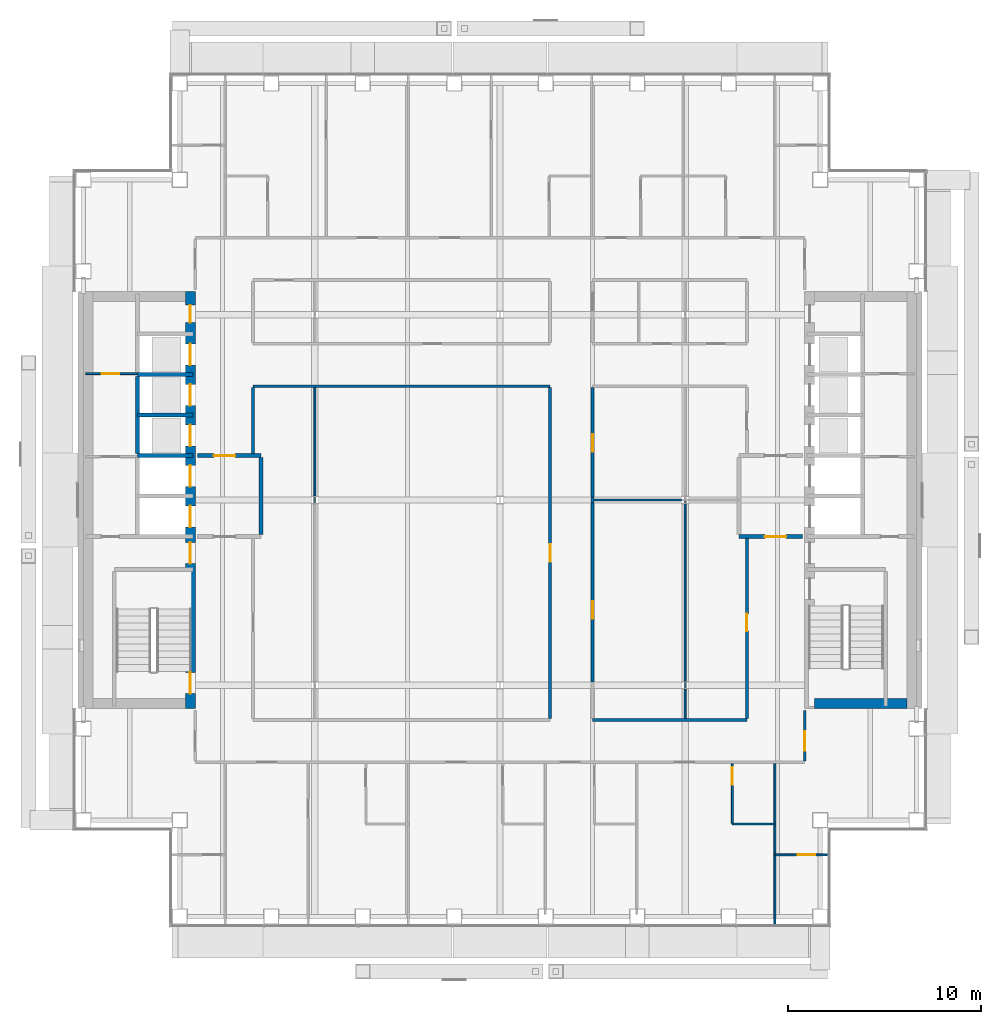
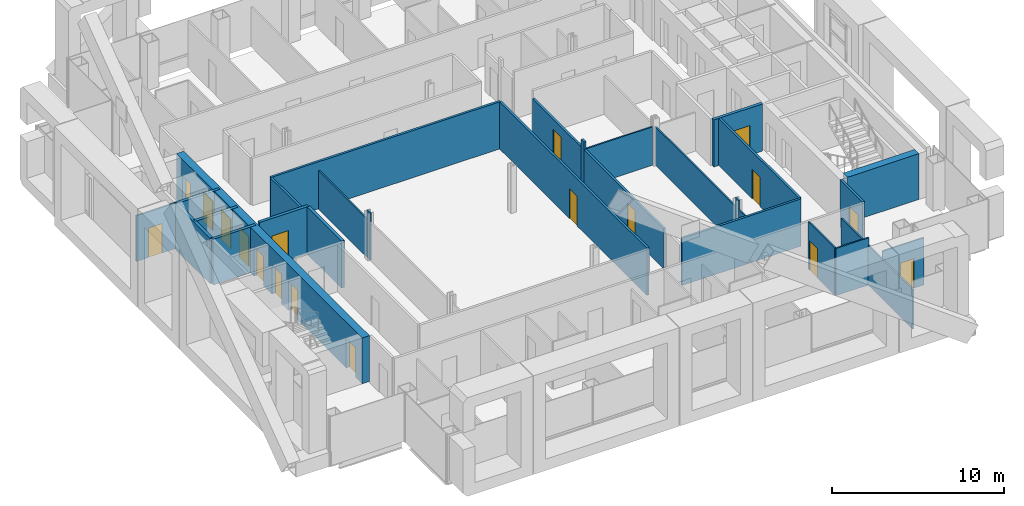
# One storey, part 13 of 22: 29 walls, 18 doors, 18 openings.
"""IFC4 building model written with IfcOpenShell, lengths in metres."""

from ifc_helpers import new_model, si_unit, direction, frame, frame_2d, origin, place, context, subcontext, project, spatial, rectangle, extrude, material, layer, layer_set, type_object, element, fill, save


model = new_model("IFC4")

# Units and contexts
model_context = context("Model", 3, precision=1e-05, world=origin(), true_north=direction((0.0, 1.0)))
body_context = subcontext(model_context, "Body", "Model", "MODEL_VIEW")
ifc_project = project(units=[si_unit("LENGTHUNIT", "METRE"), si_unit("AREAUNIT", "SQUARE_METRE"), si_unit("VOLUMEUNIT", "CUBIC_METRE"), si_unit("PLANEANGLEUNIT", "RADIAN"), si_unit("MASSUNIT", "GRAM", prefix="KILO")], contexts=[model_context])

# Site, building, storey
site_placement = place(None, origin())
site = spatial("IfcSite", under=ifc_project, at=site_placement, CompositionType="ELEMENT")
building_placement = place(site_placement, origin())
building = spatial("IfcBuilding", under=site, at=building_placement, Name="Cobrizo Arcos Hotel Tower", CompositionType="ELEMENT")
storey_placement = place(building_placement, frame((0.0, 0.0, 162.0)))
storey = spatial("IfcBuildingStorey", under=building, at=storey_placement, Name="L41", CompositionType="ELEMENT", Elevation=162.0)

# Walls
ifc_material_1 = material(Name="Gypsum board partition")
ifc_layer_1 = layer(ifc_material_1, 0.14990234375)
ifc_layer_set_1 = layer_set([ifc_layer_1], Name="Corridor wall EI 60 150")
wall_type_1 = type_object("IfcWallType", Name="Corridor wall EI 60 150", PredefinedType="PARTITIONING", material=ifc_layer_set_1)
wall_1_placement = place(storey_placement, frame((4.800048828125, -11.39990234375, 0.0), z_axis=(0.0, 0.0, 1.0), x_axis=(1.0, 0.0, 0.0)))
element("IfcWall", 1, at=wall_1_placement, inside=storey, type_object=wall_type_1, Name="Partition 009", PredefinedType="PARTITIONING", context=body_context, shape_type="SweptSolid", body=[
    extrude(rectangle(XDim=8.0, YDim=0.14990234375, at=frame_2d((4.0, 0.0))), origin(), (0.0, 0.0, 1.0), 3.35009765625),
])
wall_2_placement = place(storey_placement, frame((-12.800048828125, 5.89990234375, 0.0), z_axis=(0.0, 0.0, 1.0), x_axis=(1.0, 0.0, 0.0)))
element("IfcWall", 2, at=wall_2_placement, inside=storey, type_object=wall_type_1, Name="Partition 029", PredefinedType="PARTITIONING", context=body_context, shape_type="SweptSolid", body=[
    extrude(rectangle(XDim=15.400146484375, YDim=0.14990234375, at=frame_2d((7.7001953125, 0.0))), origin(), (0.0, 0.0, 1.0), 3.35009765625),
])
wall_3_placement = place(storey_placement, frame((-12.800048828125, 2.39990234375, 0.0), z_axis=(0.0, 0.0, 1.0), x_axis=(0.0, 1.0, 0.0)))
element("IfcWall", 3, at=wall_3_placement, inside=storey, type_object=wall_type_1, Name="Partition 057", PredefinedType="PARTITIONING", context=body_context, shape_type="SweptSolid", body=[
    extrude(rectangle(XDim=3.425048828125, YDim=0.14990234375, at=frame_2d((1.71240234375, 0.0))), origin(), (0.0, 0.0, 1.0), 3.35009765625),
])

# Wall, opening, door
wall_4_placement = place(storey_placement, frame((2.60009765625, -11.324951171875, 0.0), z_axis=(0.0, 0.0, 1.0), x_axis=(0.0, 1.0, 0.0)))
wall_4 = element("IfcWall", 4, at=wall_4_placement, inside=storey, type_object=wall_type_1, Name="Partition 079", PredefinedType="PARTITIONING", context=body_context, shape_type="SweptSolid", body=[
    extrude(rectangle(XDim=17.14990234375, YDim=0.14990234375, at=frame_2d((8.574951171875, 0.0))), origin(), (0.0, 0.0, 1.0), 3.35009765625),
])
opening_1_placement = place(wall_4_placement, frame((8.125, 0.0, 0.0)))
opening_1 = element("IfcOpeningElement", 5, at=opening_1_placement, cuts=wall_4, Name="Opening RD-19", PredefinedType="OPENING", context=body_context, shape_type="SweptSolid", body=[
    extrude(rectangle(XDim=0.89990234375, YDim=2.10009765625, at=frame_2d((0.449951171875, 1.050048828125))), frame((0.0, 0.0869140625, 0.0), z_axis=(0.0, -1.0, 0.0), x_axis=(1.0, 0.0, 0.0)), (0.0, 0.0, 1.0), 0.173828125),
])
ifc_material_2 = material(Name="Timber door leaf", Category="wood")
door_type_1 = type_object("IfcDoorType", Name="Room door FD30 900x2100", OperationType="SINGLE_SWING_LEFT", PredefinedType="DOOR", material=ifc_material_2)
door_1_placement = place(opening_1_placement, origin())
door_1 = element("IfcDoor", 6, at=door_1_placement, inside=storey, type_object=door_type_1, Name="Door RD-19", OperationType="SINGLE_SWING_LEFT", OverallHeight=2.10009765625, OverallWidth=0.89990234375, PredefinedType="DOOR", context=body_context, shape_type="SweptSolid", body=[
    extrude(rectangle(XDim=0.89990234375, YDim=2.10009765625, at=frame_2d((0.449951171875, 1.050048828125))), frame((0.0, 0.02490234375, 0.0), z_axis=(0.0, -1.0, 0.0), x_axis=(1.0, 0.0, 0.0)), (0.0, 0.0, 1.0), 0.050048828125),
])
fill(opening_1, door_1)

wall_5_placement = place(storey_placement, frame((4.800048828125, -9.43603515625, 0.0), z_axis=(0.0, 0.0, 1.0), x_axis=(0.0, 1.0, 0.0)))
wall_5 = element("IfcWall", 7, at=wall_5_placement, inside=storey, type_object=wall_type_1, Name="Partition 084", PredefinedType="PARTITIONING", context=body_context, shape_type="SweptSolid", body=[
    extrude(rectangle(XDim=9.27197265625, YDim=0.14990234375, at=frame_2d((4.635986328125, 0.0))), origin(), (0.0, 0.0, 1.0), 2.81689453125),
])
opening_2_placement = place(wall_5_placement, frame((3.285888671875, 0.0, 0.0)))
opening_2 = element("IfcOpeningElement", 8, at=opening_2_placement, cuts=wall_5, Name="Opening RD-18", PredefinedType="OPENING", context=body_context, shape_type="SweptSolid", body=[
    extrude(rectangle(XDim=0.89990234375, YDim=2.10009765625, at=frame_2d((0.449951171875, 1.050048828125))), frame((0.0, 0.0869140625, 0.0), z_axis=(0.0, -1.0, 0.0), x_axis=(1.0, 0.0, 0.0)), (0.0, 0.0, 1.0), 0.173828125),
])
door_2_placement = place(opening_2_placement, origin())
door_2 = element("IfcDoor", 9, at=door_2_placement, inside=storey, type_object=door_type_1, Name="Door RD-18", OperationType="SINGLE_SWING_LEFT", OverallHeight=2.10009765625, OverallWidth=0.89990234375, PredefinedType="DOOR", context=body_context, shape_type="SweptSolid", body=[
    extrude(rectangle(XDim=0.89990234375, YDim=2.10009765625, at=frame_2d((0.449951171875, 1.050048828125))), frame((0.0, 0.02490234375, 0.0), z_axis=(0.0, -1.0, 0.0), x_axis=(1.0, 0.0, 0.0)), (0.0, 0.0, 1.0), 0.050048828125),
])
fill(opening_2, door_2)

# Wall
wall_6_placement = place(storey_placement, frame((4.800048828125, -0.1640625, 0.0), z_axis=(0.0, 0.0, 1.0), x_axis=(0.0, 1.0, 0.0)))
element("IfcWall", 10, at=wall_6_placement, inside=storey, type_object=wall_type_1, Name="Partition 085", PredefinedType="PARTITIONING", context=body_context, shape_type="SweptSolid", body=[
    extrude(rectangle(XDim=0.328125, YDim=0.14990234375, at=frame_2d((0.1640625, 0.0))), origin(), (0.0, 0.0, 1.0), 3.35009765625),
])

# Wall, opening, door
wall_7_placement = place(storey_placement, frame((4.800048828125, 0.1640625, 0.0), z_axis=(0.0, 0.0, 1.0), x_axis=(0.0, 1.0, 0.0)))
wall_7 = element("IfcWall", 11, at=wall_7_placement, inside=storey, type_object=wall_type_1, Name="Partition 086", PredefinedType="PARTITIONING", context=body_context, shape_type="SweptSolid", body=[
    extrude(rectangle(XDim=5.660888671875, YDim=0.14990234375, at=frame_2d((2.83056640625, 0.0))), origin(), (0.0, 0.0, 1.0), 2.81689453125),
])
opening_3_placement = place(wall_7_placement, frame((2.3359375, 0.0, 0.0)))
opening_3 = element("IfcOpeningElement", 12, at=opening_3_placement, cuts=wall_7, Name="Opening RD-14", PredefinedType="OPENING", context=body_context, shape_type="SweptSolid", body=[
    extrude(rectangle(XDim=0.89990234375, YDim=2.10009765625, at=frame_2d((0.449951171875, 1.050048828125))), frame((0.0, 0.0869140625, 0.0), z_axis=(0.0, -1.0, 0.0), x_axis=(1.0, 0.0, 0.0)), (0.0, 0.0, 1.0), 0.173828125),
])
door_3_placement = place(opening_3_placement, origin())
door_3 = element("IfcDoor", 13, at=door_3_placement, inside=storey, type_object=door_type_1, Name="Door RD-14", OperationType="SINGLE_SWING_RIGHT", OverallHeight=2.10009765625, OverallWidth=0.89990234375, PredefinedType="DOOR", context=body_context, shape_type="SweptSolid", body=[
    extrude(rectangle(XDim=0.89990234375, YDim=2.10009765625, at=frame_2d((0.449951171875, 1.050048828125))), frame((0.0, 0.02490234375, 0.0), z_axis=(0.0, -1.0, 0.0), x_axis=(1.0, 0.0, 0.0)), (0.0, 0.0, 1.0), 0.050048828125),
])
fill(opening_3, door_3)

wall_8_placement = place(storey_placement, frame((12.800048828125, -11.324951171875, 0.0), z_axis=(0.0, 0.0, 1.0), x_axis=(0.0, 1.0, 0.0)))
wall_8 = element("IfcWall", 14, at=wall_8_placement, inside=storey, type_object=wall_type_1, Name="Partition 106", PredefinedType="PARTITIONING", context=body_context, shape_type="SweptSolid", body=[
    extrude(rectangle(XDim=9.324951171875, YDim=0.14990234375, at=frame_2d((4.66259765625, 0.0))), origin(), (0.0, 0.0, 1.0), 3.35009765625),
])
opening_4_placement = place(wall_8_placement, frame((4.52490234375, 0.0, 0.0)))
opening_4 = element("IfcOpeningElement", 15, at=opening_4_placement, cuts=wall_8, Name="Opening RD-15", PredefinedType="OPENING", context=body_context, shape_type="SweptSolid", body=[
    extrude(rectangle(XDim=0.89990234375, YDim=2.10009765625, at=frame_2d((0.449951171875, 1.050048828125))), frame((0.0, 0.0869140625, 0.0), z_axis=(0.0, -1.0, 0.0), x_axis=(1.0, 0.0, 0.0)), (0.0, 0.0, 1.0), 0.173828125),
])
door_4_placement = place(opening_4_placement, origin())
door_4 = element("IfcDoor", 16, at=door_4_placement, inside=storey, type_object=door_type_1, Name="Door RD-15", OperationType="SINGLE_SWING_LEFT", OverallHeight=2.10009765625, OverallWidth=0.89990234375, PredefinedType="DOOR", context=body_context, shape_type="SweptSolid", body=[
    extrude(rectangle(XDim=0.89990234375, YDim=2.10009765625, at=frame_2d((0.449951171875, 1.050048828125))), frame((0.0, 0.02490234375, 0.0), z_axis=(0.0, -1.0, 0.0), x_axis=(1.0, 0.0, 0.0)), (0.0, 0.0, 1.0), 0.050048828125),
])
fill(opening_4, door_4)

wall_9_placement = place(storey_placement, frame((15.800048828125, -13.52490234375, 0.0), z_axis=(0.0, 0.0, 1.0), x_axis=(0.0, 1.0, 0.0)))
wall_9 = element("IfcWall", 17, at=wall_9_placement, inside=storey, type_object=wall_type_1, Name="Partition 112", PredefinedType="PARTITIONING", context=body_context, shape_type="SweptSolid", body=[
    extrude(rectangle(XDim=2.60498046875, YDim=0.14990234375, at=frame_2d((1.302490234375, 0.0))), origin(), (0.0, 0.0, 1.0), 3.35009765625),
])
opening_5_placement = place(wall_9_placement, frame((0.52490234375, 0.0, 0.0)))
opening_5 = element("IfcOpeningElement", 18, at=opening_5_placement, cuts=wall_9, Name="Opening GD-11", PredefinedType="OPENING", context=body_context, shape_type="SweptSolid", body=[
    extrude(rectangle(XDim=1.0, YDim=2.10009765625, at=frame_2d((0.5, 1.050048828125))), frame((0.0, 0.0869140625, 0.0), z_axis=(0.0, -1.0, 0.0), x_axis=(1.0, 0.0, 0.0)), (0.0, 0.0, 1.0), 0.173828125),
])
door_type_2 = type_object("IfcDoorType", Name="Guest room door FD30S 1000x2100", OperationType="SINGLE_SWING_LEFT", PredefinedType="DOOR", material=ifc_material_2)
door_5_placement = place(opening_5_placement, origin())
door_5 = element("IfcDoor", 19, at=door_5_placement, inside=storey, type_object=door_type_2, Name="Door GD-11", OperationType="SINGLE_SWING_LEFT", OverallHeight=2.10009765625, OverallWidth=1.0, PredefinedType="DOOR", context=body_context, shape_type="SweptSolid", body=[
    extrude(rectangle(XDim=1.0, YDim=2.10009765625, at=frame_2d((0.5, 1.050048828125))), frame((0.0, 0.02490234375, 0.0), z_axis=(0.0, -1.0, 0.0), x_axis=(1.0, 0.0, 0.0)), (0.0, 0.0, 1.0), 0.050048828125),
])
fill(opening_5, door_5)

ifc_layer_2 = layer(ifc_material_1, 0.10009765625)
ifc_layer_set_2 = layer_set([ifc_layer_2], Name="Partition EI 30 100")
wall_type_2 = type_object("IfcWallType", Name="Partition EI 30 100", PredefinedType="PARTITIONING", material=ifc_layer_set_2)
wall_10_placement = place(storey_placement, frame((14.25, -18.39990234375, 0.0), z_axis=(0.0, 0.0, 1.0), x_axis=(1.0, 0.0, 0.0)))
wall_10 = element("IfcWall", 20, at=wall_10_placement, inside=storey, type_object=wall_type_2, Name="Partition 002", PredefinedType="PARTITIONING", context=body_context, shape_type="SweptSolid", body=[
    extrude(rectangle(XDim=2.780029296875, YDim=0.10009765625, at=frame_2d((1.39013671875, 0.0))), origin(), (0.0, 0.0, 1.0), 3.35009765625),
])
opening_6_placement = place(wall_10_placement, frame((1.18896484375, 0.0, 0.0)))
opening_6 = element("IfcOpeningElement", 21, at=opening_6_placement, cuts=wall_10, Name="Opening ED-12", PredefinedType="OPENING", context=body_context, shape_type="SweptSolid", body=[
    extrude(rectangle(XDim=0.89990234375, YDim=2.10009765625, at=frame_2d((0.449951171875, 1.050048828125))), frame((0.0, 0.06201171875, 0.0), z_axis=(0.0, -1.0, 0.0), x_axis=(1.0, 0.0, 0.0)), (0.0, 0.0, 1.0), 0.1240234375),
])
door_type_3 = type_object("IfcDoorType", Name="En-suite door 900x2100", OperationType="SINGLE_SWING_LEFT", PredefinedType="DOOR", material=ifc_material_2)
door_6_placement = place(opening_6_placement, origin())
door_6 = element("IfcDoor", 22, at=door_6_placement, inside=storey, type_object=door_type_3, Name="Door ED-12", OperationType="SINGLE_SWING_LEFT", OverallHeight=2.10009765625, OverallWidth=0.89990234375, PredefinedType="DOOR", context=body_context, shape_type="SweptSolid", body=[
    extrude(rectangle(XDim=0.89990234375, YDim=2.10009765625, at=frame_2d((0.449951171875, 1.050048828125))), frame((0.0, 0.02490234375, 0.0), z_axis=(0.0, -1.0, 0.0), x_axis=(1.0, 0.0, 0.0)), (0.0, 0.0, 1.0), 0.050048828125),
])
fill(opening_6, door_6)

# Walls
wall_11_placement = place(storey_placement, frame((12.050048828125, -16.800048828125, 0.0), z_axis=(0.0, 0.0, 1.0), x_axis=(1.0, 0.0, 0.0)))
element("IfcWall", 23, at=wall_11_placement, inside=storey, type_object=wall_type_2, Name="Partition 006", PredefinedType="PARTITIONING", context=body_context, shape_type="SweptSolid", body=[
    extrude(rectangle(XDim=2.199951171875, YDim=0.10009765625, at=frame_2d((1.10009765625, 0.0))), origin(), (0.0, 0.0, 1.0), 3.35009765625),
])
wall_12_placement = place(storey_placement, frame((4.800048828125, 0.0, 0.0), z_axis=(0.0, 0.0, 1.0), x_axis=(1.0, 0.0, 0.0)))
element("IfcWall", 24, at=wall_12_placement, inside=storey, type_object=wall_type_2, Name="Partition 016", PredefinedType="PARTITIONING", context=body_context, shape_type="SweptSolid", body=[
    extrude(rectangle(XDim=4.613037109375, YDim=0.10009765625, at=frame_2d((2.306640625, 0.0))), origin(), (0.0, 0.0, 1.0), 2.72802734375),
])

# Wall, opening, door
wall_13_placement = place(storey_placement, frame((-21.47998046875, 6.550048828125, 0.0), z_axis=(0.0, 0.0, 1.0), x_axis=(1.0, 0.0, 0.0)))
wall_13 = element("IfcWall", 25, at=wall_13_placement, inside=storey, type_object=wall_type_2, Name="Partition 033", PredefinedType="PARTITIONING", context=body_context, shape_type="SweptSolid", body=[
    extrude(rectangle(XDim=2.679931640625, YDim=0.10009765625, at=frame_2d((1.33984375, 0.0))), origin(), (0.0, 0.0, 1.0), 3.25),
])
opening_7_placement = place(wall_13_placement, frame((0.830078125, 0.0, 0.0)))
opening_7 = element("IfcOpeningElement", 26, at=opening_7_placement, cuts=wall_13, Name="Opening RD-03", PredefinedType="OPENING", context=body_context, shape_type="SweptSolid", body=[
    extrude(rectangle(XDim=0.89990234375, YDim=2.10009765625, at=frame_2d((0.449951171875, 1.050048828125))), frame((0.0, 0.06201171875, 0.0), z_axis=(0.0, -1.0, 0.0), x_axis=(1.0, 0.0, 0.0)), (0.0, 0.0, 1.0), 0.1240234375),
])
door_7_placement = place(opening_7_placement, origin())
door_7 = element("IfcDoor", 27, at=door_7_placement, inside=storey, type_object=door_type_1, Name="Door RD-03", OperationType="SINGLE_SWING_LEFT", OverallHeight=2.10009765625, OverallWidth=0.89990234375, PredefinedType="DOOR", context=body_context, shape_type="SweptSolid", body=[
    extrude(rectangle(XDim=0.89990234375, YDim=2.10009765625, at=frame_2d((0.449951171875, 1.050048828125))), frame((0.0, 0.02490234375, 0.0), z_axis=(0.0, -1.0, 0.0), x_axis=(1.0, 0.0, 0.0)), (0.0, 0.0, 1.0), 0.050048828125),
])
fill(opening_7, door_7)

# Walls
wall_14_placement = place(storey_placement, frame((-9.60009765625, -0.18701171875, 0.0), z_axis=(0.0, 0.0, 1.0), x_axis=(0.0, 1.0, 0.0)))
element("IfcWall", 28, at=wall_14_placement, inside=storey, type_object=wall_type_2, Name="Partition 066", PredefinedType="PARTITIONING", context=body_context, shape_type="SweptSolid", body=[
    extrude(rectangle(XDim=0.3740234375, YDim=0.10009765625, at=frame_2d((0.18701171875, 0.0))), origin(), (0.0, 0.0, 1.0), 3.35009765625),
])
wall_15_placement = place(storey_placement, frame((-9.60009765625, 0.18701171875, 0.0), z_axis=(0.0, 0.0, 1.0), x_axis=(0.0, 1.0, 0.0)))
element("IfcWall", 29, at=wall_15_placement, inside=storey, type_object=wall_type_2, Name="Partition 067", PredefinedType="PARTITIONING", context=body_context, shape_type="SweptSolid", body=[
    extrude(rectangle(XDim=5.637939453125, YDim=0.10009765625, at=frame_2d((2.81884765625, 0.0))), origin(), (0.0, 0.0, 1.0), 2.72802734375),
])
wall_16_placement = place(storey_placement, frame((9.60009765625, -11.324951171875, 0.0), z_axis=(0.0, 0.0, 1.0), x_axis=(0.0, 1.0, 0.0)))
element("IfcWall", 30, at=wall_16_placement, inside=storey, type_object=wall_type_2, Name="Partition 096", PredefinedType="PARTITIONING", context=body_context, shape_type="SweptSolid", body=[
    extrude(rectangle(XDim=1.537841796875, YDim=0.10009765625, at=frame_2d((0.76904296875, 0.0))), origin(), (0.0, 0.0, 1.0), 2.72802734375),
])
wall_17_placement = place(storey_placement, frame((9.60009765625, -9.787109375, 0.0), z_axis=(0.0, 0.0, 1.0), x_axis=(0.0, 1.0, 0.0)))
element("IfcWall", 31, at=wall_17_placement, inside=storey, type_object=wall_type_2, Name="Partition 097", PredefinedType="PARTITIONING", context=body_context, shape_type="SweptSolid", body=[
    extrude(rectangle(XDim=0.3740234375, YDim=0.10009765625, at=frame_2d((0.18701171875, 0.0))), origin(), (0.0, 0.0, 1.0), 3.35009765625),
])
wall_18_placement = place(storey_placement, frame((9.60009765625, -9.4130859375, 0.0), z_axis=(0.0, 0.0, 1.0), x_axis=(0.0, 1.0, 0.0)))
element("IfcWall", 32, at=wall_18_placement, inside=storey, type_object=wall_type_2, Name="Partition 098", PredefinedType="PARTITIONING", context=body_context, shape_type="SweptSolid", body=[
    extrude(rectangle(XDim=9.363037109375, YDim=0.10009765625, at=frame_2d((4.681640625, 0.0))), origin(), (0.0, 0.0, 1.0), 2.72802734375),
])

# Wall, opening, door
wall_19_placement = place(storey_placement, frame((12.050048828125, -16.75, 0.0), z_axis=(0.0, 0.0, 1.0), x_axis=(0.0, 1.0, 0.0)))
wall_19 = element("IfcWall", 33, at=wall_19_placement, inside=storey, type_object=wall_type_2, Name="Partition 104", PredefinedType="PARTITIONING", context=body_context, shape_type="SweptSolid", body=[
    extrude(rectangle(XDim=3.074951171875, YDim=0.10009765625, at=frame_2d((1.53759765625, 0.0))), origin(), (0.0, 0.0, 1.0), 3.35009765625),
])
opening_8_placement = place(wall_19_placement, frame((1.99609375, 0.0, 0.0)))
opening_8 = element("IfcOpeningElement", 34, at=opening_8_placement, cuts=wall_19, Name="Opening ED-09", PredefinedType="OPENING", context=body_context, shape_type="SweptSolid", body=[
    extrude(rectangle(XDim=0.89990234375, YDim=2.10009765625, at=frame_2d((0.449951171875, 1.050048828125))), frame((0.0, 0.06201171875, 0.0), z_axis=(0.0, -1.0, 0.0), x_axis=(1.0, 0.0, 0.0)), (0.0, 0.0, 1.0), 0.1240234375),
])
door_8_placement = place(opening_8_placement, origin())
door_8 = element("IfcDoor", 35, at=door_8_placement, inside=storey, type_object=door_type_3, Name="Door ED-09", OperationType="SINGLE_SWING_LEFT", OverallHeight=2.10009765625, OverallWidth=0.89990234375, PredefinedType="DOOR", context=body_context, shape_type="SweptSolid", body=[
    extrude(rectangle(XDim=0.89990234375, YDim=2.10009765625, at=frame_2d((0.449951171875, 1.050048828125))), frame((0.0, 0.02490234375, 0.0), z_axis=(0.0, -1.0, 0.0), x_axis=(1.0, 0.0, 0.0)), (0.0, 0.0, 1.0), 0.050048828125),
])
fill(opening_8, door_8)

# Walls
wall_20_placement = place(storey_placement, frame((14.25, -22.030029296875, 0.0), z_axis=(0.0, 0.0, 1.0), x_axis=(0.0, 1.0, 0.0)))
element("IfcWall", 36, at=wall_20_placement, inside=storey, type_object=wall_type_2, Name="Partition 110", PredefinedType="PARTITIONING", context=body_context, shape_type="SweptSolid", body=[
    extrude(rectangle(XDim=8.35498046875, YDim=0.10009765625, at=frame_2d((4.177490234375, 0.0))), origin(), (0.0, 0.0, 1.0), 2.81689453125),
])
ifc_material_3 = material(Name="Concrete f'c 50 MPa", Category="concrete")
ifc_layer_3 = layer(ifc_material_3, 0.5)
ifc_layer_set_3 = layer_set([ifc_layer_3], Name="RC core wall 500 f'c 50")
wall_type_3 = type_object("IfcWallType", Name="RC core wall 500 f'c 50", PredefinedType="SHEAR", material=ifc_layer_set_3)
wall_21_placement = place(storey_placement, frame((16.300048828125, -10.550048828125, 0.0), z_axis=(0.0, 0.0, 1.0), x_axis=(1.0, 0.0, 0.0)))
element("IfcWall", 37, at=wall_21_placement, inside=storey, type_object=wall_type_3, Name="Core wall CW3, east core, south end, L41", PredefinedType="SHEAR", context=body_context, shape_type="SweptSolid", body=[
    extrude(rectangle(XDim=4.800048828125, YDim=0.5, at=frame_2d((2.39990234375, 0.0))), origin(), (0.0, 0.0, 1.0), 3.25),
])

# Wall, openings, doors
wall_22_placement = place(storey_placement, frame((-16.050048828125, -10.800048828125, 0.0), z_axis=(0.0, 0.0, 1.0), x_axis=(0.0, 1.0, 0.0)))
wall_22 = element("IfcWall", 38, at=wall_22_placement, inside=storey, type_object=wall_type_3, Name="Core wall CW3, west core, inner face, L41", PredefinedType="SHEAR", context=body_context, shape_type="SweptSolid", body=[
    extrude(rectangle(XDim=21.60009765625, YDim=0.5, at=frame_2d((10.800048828125, 0.0))), origin(), (0.0, 0.0, 1.0), 3.25),
])
opening_9_placement = place(wall_22_placement, frame((9.39990234375, 0.0, 0.0)))
opening_9 = element("IfcOpeningElement", 39, at=opening_9_placement, cuts=wall_22, Name="Opening LD-01", PredefinedType="OPENING", context=body_context, shape_type="SweptSolid", body=[
    extrude(rectangle(XDim=1.10009765625, YDim=2.10009765625, at=frame_2d((0.550048828125, 1.050048828125))), frame((0.0, 0.261962890625, 0.0), z_axis=(0.0, -1.0, 0.0), x_axis=(1.0, 0.0, 0.0)), (0.0, 0.0, 1.0), 0.52392578125),
])
opening_10_placement = place(wall_22_placement, frame((11.5, 0.0, 0.0)))
opening_10 = element("IfcOpeningElement", 40, at=opening_10_placement, cuts=wall_22, Name="Opening LD-02", PredefinedType="OPENING", context=body_context, shape_type="SweptSolid", body=[
    extrude(rectangle(XDim=1.10009765625, YDim=2.10009765625, at=frame_2d((0.550048828125, 1.050048828125))), frame((0.0, 0.261962890625, 0.0), z_axis=(0.0, -1.0, 0.0), x_axis=(1.0, 0.0, 0.0)), (0.0, 0.0, 1.0), 0.52392578125),
])
opening_11_placement = place(wall_22_placement, frame((13.60009765625, 0.0, 0.0)))
opening_11 = element("IfcOpeningElement", 41, at=opening_11_placement, cuts=wall_22, Name="Opening LD-03", PredefinedType="OPENING", context=body_context, shape_type="SweptSolid", body=[
    extrude(rectangle(XDim=1.10009765625, YDim=2.10009765625, at=frame_2d((0.550048828125, 1.050048828125))), frame((0.0, 0.261962890625, 0.0), z_axis=(0.0, -1.0, 0.0), x_axis=(1.0, 0.0, 0.0)), (0.0, 0.0, 1.0), 0.52392578125),
])
opening_12_placement = place(wall_22_placement, frame((15.699951171875, 0.0, 0.0)))
opening_12 = element("IfcOpeningElement", 42, at=opening_12_placement, cuts=wall_22, Name="Opening LD-04", PredefinedType="OPENING", context=body_context, shape_type="SweptSolid", body=[
    extrude(rectangle(XDim=1.10009765625, YDim=2.10009765625, at=frame_2d((0.550048828125, 1.050048828125))), frame((0.0, 0.261962890625, 0.0), z_axis=(0.0, -1.0, 0.0), x_axis=(1.0, 0.0, 0.0)), (0.0, 0.0, 1.0), 0.52392578125),
])
opening_13_placement = place(wall_22_placement, frame((17.800048828125, 0.0, 0.0)))
opening_13 = element("IfcOpeningElement", 43, at=opening_13_placement, cuts=wall_22, Name="Opening LD-05", PredefinedType="OPENING", context=body_context, shape_type="SweptSolid", body=[
    extrude(rectangle(XDim=1.10009765625, YDim=2.10009765625, at=frame_2d((0.550048828125, 1.050048828125))), frame((0.0, 0.261962890625, 0.0), z_axis=(0.0, -1.0, 0.0), x_axis=(1.0, 0.0, 0.0)), (0.0, 0.0, 1.0), 0.52392578125),
])
opening_14_placement = place(wall_22_placement, frame((0.758056640625, 0.0, 0.0)))
opening_14 = element("IfcOpeningElement", 44, at=opening_14_placement, cuts=wall_22, Name="Opening SD-01", PredefinedType="OPENING", context=body_context, shape_type="SweptSolid", body=[
    extrude(rectangle(XDim=1.10009765625, YDim=2.10009765625, at=frame_2d((0.550048828125, 1.050048828125))), frame((0.0, 0.261962890625, 0.0), z_axis=(0.0, -1.0, 0.0), x_axis=(1.0, 0.0, 0.0)), (0.0, 0.0, 1.0), 0.52392578125),
])
opening_15_placement = place(wall_22_placement, frame((7.5, 0.0, 0.0)))
opening_15 = element("IfcOpeningElement", 45, at=opening_15_placement, cuts=wall_22, Name="Opening FD-01", PredefinedType="OPENING", context=body_context, shape_type="SweptSolid", body=[
    extrude(rectangle(XDim=1.10009765625, YDim=2.10009765625, at=frame_2d((0.550048828125, 1.050048828125))), frame((0.0, 0.261962890625, 0.0), z_axis=(0.0, -1.0, 0.0), x_axis=(1.0, 0.0, 0.0)), (0.0, 0.0, 1.0), 0.52392578125),
])
opening_16_placement = place(wall_22_placement, frame((20.0, 0.0, 0.0)))
opening_16 = element("IfcOpeningElement", 46, at=opening_16_placement, cuts=wall_22, Name="Opening ED-01", PredefinedType="OPENING", context=body_context, shape_type="SweptSolid", body=[
    extrude(rectangle(XDim=0.89990234375, YDim=2.10009765625, at=frame_2d((0.449951171875, 1.050048828125))), frame((0.0, 0.261962890625, 0.0), z_axis=(0.0, -1.0, 0.0), x_axis=(1.0, 0.0, 0.0)), (0.0, 0.0, 1.0), 0.52392578125),
])
door_9_placement = place(opening_16_placement, origin())
door_9 = element("IfcDoor", 47, at=door_9_placement, inside=storey, type_object=door_type_3, Name="Door ED-01", OperationType="SINGLE_SWING_LEFT", OverallHeight=2.10009765625, OverallWidth=0.89990234375, PredefinedType="DOOR", context=body_context, shape_type="SweptSolid", body=[
    extrude(rectangle(XDim=0.89990234375, YDim=2.10009765625, at=frame_2d((0.449951171875, 1.050048828125))), frame((0.0, 0.02490234375, 0.0), z_axis=(0.0, -1.0, 0.0), x_axis=(1.0, 0.0, 0.0)), (0.0, 0.0, 1.0), 0.050048828125),
])
fill(opening_16, door_9)
ifc_material_4 = material(Name="Steel door leaf", Category="steel")
door_type_4 = type_object("IfcDoorType", Name="Fire door FD60 1100x2100", OperationType="SINGLE_SWING_LEFT", PredefinedType="DOOR", material=ifc_material_4)
door_10_placement = place(opening_15_placement, origin())
door_10 = element("IfcDoor", 48, at=door_10_placement, inside=storey, type_object=door_type_4, Name="Door FD-01", OperationType="SINGLE_SWING_RIGHT", OverallHeight=2.10009765625, OverallWidth=1.10009765625, PredefinedType="DOOR", context=body_context, shape_type="SweptSolid", body=[
    extrude(rectangle(XDim=1.10009765625, YDim=2.10009765625, at=frame_2d((0.550048828125, 1.050048828125))), frame((0.0, 0.02490234375, 0.0), z_axis=(0.0, -1.0, 0.0), x_axis=(1.0, 0.0, 0.0)), (0.0, 0.0, 1.0), 0.050048828125),
])
fill(opening_15, door_10)
door_type_5 = type_object("IfcDoorType", Name="Lift landing door 1100x2100", OperationType="SLIDING_TO_LEFT", PredefinedType="DOOR", material=ifc_material_4)
door_11_placement = place(opening_9_placement, origin())
door_11 = element("IfcDoor", 49, at=door_11_placement, inside=storey, type_object=door_type_5, Name="Lift landing door LD-01", OperationType="SLIDING_TO_LEFT", OverallHeight=2.10009765625, OverallWidth=1.10009765625, PredefinedType="DOOR", context=body_context, shape_type="SweptSolid", body=[
    extrude(rectangle(XDim=1.10009765625, YDim=2.10009765625, at=frame_2d((0.550048828125, 1.050048828125))), frame((0.0, 0.02490234375, 0.0), z_axis=(0.0, -1.0, 0.0), x_axis=(1.0, 0.0, 0.0)), (0.0, 0.0, 1.0), 0.050048828125),
])
fill(opening_9, door_11)
door_12_placement = place(opening_10_placement, origin())
door_12 = element("IfcDoor", 50, at=door_12_placement, inside=storey, type_object=door_type_5, Name="Lift landing door LD-02", OperationType="SLIDING_TO_LEFT", OverallHeight=2.10009765625, OverallWidth=1.10009765625, PredefinedType="DOOR", context=body_context, shape_type="SweptSolid", body=[
    extrude(rectangle(XDim=1.10009765625, YDim=2.10009765625, at=frame_2d((0.550048828125, 1.050048828125))), frame((0.0, 0.02490234375, 0.0), z_axis=(0.0, -1.0, 0.0), x_axis=(1.0, 0.0, 0.0)), (0.0, 0.0, 1.0), 0.050048828125),
])
fill(opening_10, door_12)
door_13_placement = place(opening_11_placement, origin())
door_13 = element("IfcDoor", 51, at=door_13_placement, inside=storey, type_object=door_type_5, Name="Lift landing door LD-03", OperationType="SLIDING_TO_LEFT", OverallHeight=2.10009765625, OverallWidth=1.10009765625, PredefinedType="DOOR", context=body_context, shape_type="SweptSolid", body=[
    extrude(rectangle(XDim=1.10009765625, YDim=2.10009765625, at=frame_2d((0.550048828125, 1.050048828125))), frame((0.0, 0.02490234375, 0.0), z_axis=(0.0, -1.0, 0.0), x_axis=(1.0, 0.0, 0.0)), (0.0, 0.0, 1.0), 0.050048828125),
])
fill(opening_11, door_13)
door_14_placement = place(opening_12_placement, origin())
door_14 = element("IfcDoor", 52, at=door_14_placement, inside=storey, type_object=door_type_5, Name="Lift landing door LD-04", OperationType="SLIDING_TO_LEFT", OverallHeight=2.10009765625, OverallWidth=1.10009765625, PredefinedType="DOOR", context=body_context, shape_type="SweptSolid", body=[
    extrude(rectangle(XDim=1.10009765625, YDim=2.10009765625, at=frame_2d((0.550048828125, 1.050048828125))), frame((0.0, 0.02490234375, 0.0), z_axis=(0.0, -1.0, 0.0), x_axis=(1.0, 0.0, 0.0)), (0.0, 0.0, 1.0), 0.050048828125),
])
fill(opening_12, door_14)
door_15_placement = place(opening_13_placement, origin())
door_15 = element("IfcDoor", 53, at=door_15_placement, inside=storey, type_object=door_type_5, Name="Lift landing door LD-05", OperationType="SLIDING_TO_LEFT", OverallHeight=2.10009765625, OverallWidth=1.10009765625, PredefinedType="DOOR", context=body_context, shape_type="SweptSolid", body=[
    extrude(rectangle(XDim=1.10009765625, YDim=2.10009765625, at=frame_2d((0.550048828125, 1.050048828125))), frame((0.0, 0.02490234375, 0.0), z_axis=(0.0, -1.0, 0.0), x_axis=(1.0, 0.0, 0.0)), (0.0, 0.0, 1.0), 0.050048828125),
])
fill(opening_13, door_15)
door_type_6 = type_object("IfcDoorType", Name="Stair door FD60S 1100x2100", OperationType="SINGLE_SWING_LEFT", PredefinedType="DOOR", material=ifc_material_4)
door_16_placement = place(opening_14_placement, origin())
door_16 = element("IfcDoor", 54, at=door_16_placement, inside=storey, type_object=door_type_6, Name="Door SD-01", OperationType="SINGLE_SWING_RIGHT", OverallHeight=2.10009765625, OverallWidth=1.10009765625, PredefinedType="DOOR", context=body_context, shape_type="SweptSolid", body=[
    extrude(rectangle(XDim=1.10009765625, YDim=2.10009765625, at=frame_2d((0.550048828125, 1.050048828125))), frame((0.0, 0.02490234375, 0.0), z_axis=(0.0, -1.0, 0.0), x_axis=(1.0, 0.0, 0.0)), (0.0, 0.0, 1.0), 0.050048828125),
])
fill(opening_14, door_16)

# Wall, opening, door
ifc_layer_4 = layer(ifc_material_1, 0.199951171875)
ifc_layer_set_4 = layer_set([ifc_layer_4], Name="Shaft wall EI 120 200")
wall_type_4 = type_object("IfcWallType", Name="Shaft wall EI 120 200", PredefinedType="PARTITIONING", material=ifc_layer_set_4)
wall_23_placement = place(storey_placement, frame((12.39990234375, -1.89990234375, 0.0), z_axis=(0.0, 0.0, 1.0), x_axis=(1.0, 0.0, 0.0)))
wall_23 = element("IfcWall", 55, at=wall_23_placement, inside=storey, type_object=wall_type_4, Name="Partition 014", PredefinedType="PARTITIONING", context=body_context, shape_type="SweptSolid", body=[
    extrude(rectangle(XDim=3.280029296875, YDim=0.199951171875, at=frame_2d((1.64013671875, 0.0))), origin(), (0.0, 0.0, 1.0), 3.35009765625),
])
opening_17_placement = place(wall_23_placement, frame((1.340087890625, 0.0, 0.0)))
opening_17 = element("IfcOpeningElement", 56, at=opening_17_placement, cuts=wall_23, Name="Opening FD-06", PredefinedType="OPENING", context=body_context, shape_type="SweptSolid", body=[
    extrude(rectangle(XDim=1.10009765625, YDim=2.10009765625, at=frame_2d((0.550048828125, 1.050048828125))), frame((0.0, 0.112060546875, 0.0), z_axis=(0.0, -1.0, 0.0), x_axis=(1.0, 0.0, 0.0)), (0.0, 0.0, 1.0), 0.223876953125),
])
door_17_placement = place(opening_17_placement, origin())
door_17 = element("IfcDoor", 57, at=door_17_placement, inside=storey, type_object=door_type_4, Name="Door FD-06", OperationType="SINGLE_SWING_RIGHT", OverallHeight=2.10009765625, OverallWidth=1.10009765625, PredefinedType="DOOR", context=body_context, shape_type="SweptSolid", body=[
    extrude(rectangle(XDim=1.10009765625, YDim=2.10009765625, at=frame_2d((0.550048828125, 1.050048828125))), frame((0.0, 0.02490234375, 0.0), z_axis=(0.0, -1.0, 0.0), x_axis=(1.0, 0.0, 0.0)), (0.0, 0.0, 1.0), 0.050048828125),
])
fill(opening_17, door_17)

# Wall
wall_24_placement = place(storey_placement, frame((-18.800048828125, 2.300048828125, 0.0), z_axis=(0.0, 0.0, 1.0), x_axis=(1.0, 0.0, 0.0)))
element("IfcWall", 58, at=wall_24_placement, inside=storey, type_object=wall_type_4, Name="Partition 023", PredefinedType="PARTITIONING", context=body_context, shape_type="SweptSolid", body=[
    extrude(rectangle(XDim=2.880126953125, YDim=0.199951171875, at=frame_2d((1.43994140625, 0.0))), origin(), (0.0, 0.0, 1.0), 3.25),
])

# Wall, opening, door
wall_25_placement = place(storey_placement, frame((-15.679931640625, 2.300048828125, 0.0), z_axis=(0.0, 0.0, 1.0), x_axis=(1.0, 0.0, 0.0)))
wall_25 = element("IfcWall", 59, at=wall_25_placement, inside=storey, type_object=wall_type_4, Name="Partition 024", PredefinedType="PARTITIONING", context=body_context, shape_type="SweptSolid", body=[
    extrude(rectangle(XDim=3.280029296875, YDim=0.199951171875, at=frame_2d((1.64013671875, 0.0))), origin(), (0.0, 0.0, 1.0), 3.35009765625),
])
opening_18_placement = place(wall_25_placement, frame((0.840087890625, 0.0, 0.0)))
opening_18 = element("IfcOpeningElement", 60, at=opening_18_placement, cuts=wall_25, Name="Opening FD-02", PredefinedType="OPENING", context=body_context, shape_type="SweptSolid", body=[
    extrude(rectangle(XDim=1.10009765625, YDim=2.10009765625, at=frame_2d((0.550048828125, 1.050048828125))), frame((0.0, 0.112060546875, 0.0), z_axis=(0.0, -1.0, 0.0), x_axis=(1.0, 0.0, 0.0)), (0.0, 0.0, 1.0), 0.223876953125),
])
door_18_placement = place(opening_18_placement, origin())
door_18 = element("IfcDoor", 61, at=door_18_placement, inside=storey, type_object=door_type_4, Name="Door FD-02", OperationType="SINGLE_SWING_RIGHT", OverallHeight=2.10009765625, OverallWidth=1.10009765625, PredefinedType="DOOR", context=body_context, shape_type="SweptSolid", body=[
    extrude(rectangle(XDim=1.10009765625, YDim=2.10009765625, at=frame_2d((0.550048828125, 1.050048828125))), frame((0.0, 0.02490234375, 0.0), z_axis=(0.0, -1.0, 0.0), x_axis=(1.0, 0.0, 0.0)), (0.0, 0.0, 1.0), 0.050048828125),
])
fill(opening_18, door_18)

# Walls
for number, where, z_axis, x_axis, name in (
    (62, (-18.800048828125, 4.39990234375, 0.0), (0.0, 0.0, 1.0), (1.0, 0.0, 0.0), "Partition 027"),
    (63, (-18.800048828125, 6.5, 0.0), (0.0, 0.0, 1.0), (1.0, 0.0, 0.0), "Partition 031"),
):
    element("IfcWall", number, at=place(storey_placement, frame(where, z_axis=z_axis, x_axis=x_axis)), inside=storey, type_object=wall_type_4, Name=name, PredefinedType="PARTITIONING", context=body_context, shape_type="SweptSolid", body=[
        extrude(rectangle(XDim=2.880126953125, YDim=0.199951171875, at=frame_2d((1.43994140625, 0.0))), origin(), (0.0, 0.0, 1.0), 3.25),
    ])
wall_26_placement = place(storey_placement, frame((-18.800048828125, 2.39990234375, 0.0), z_axis=(0.0, 0.0, 1.0), x_axis=(0.0, 1.0, 0.0)))
element("IfcWall", 64, at=wall_26_placement, inside=storey, type_object=wall_type_4, Name="Partition 050", PredefinedType="PARTITIONING", context=body_context, shape_type="SweptSolid", body=[
    extrude(rectangle(XDim=4.0, YDim=0.199951171875, at=frame_2d((2.0, 0.0))), origin(), (0.0, 0.0, 1.0), 3.25),
])
wall_27_placement = place(storey_placement, frame((-12.39990234375, -1.800048828125, 0.0), z_axis=(0.0, 0.0, 1.0), x_axis=(0.0, 1.0, 0.0)))
element("IfcWall", 65, at=wall_27_placement, inside=storey, type_object=wall_type_4, Name="Partition 060", PredefinedType="PARTITIONING", context=body_context, shape_type="SweptSolid", body=[
    extrude(rectangle(XDim=4.0, YDim=0.199951171875, at=frame_2d((2.0, 0.0))), origin(), (0.0, 0.0, 1.0), 3.35009765625),
])

save(model, "model.ifc")
